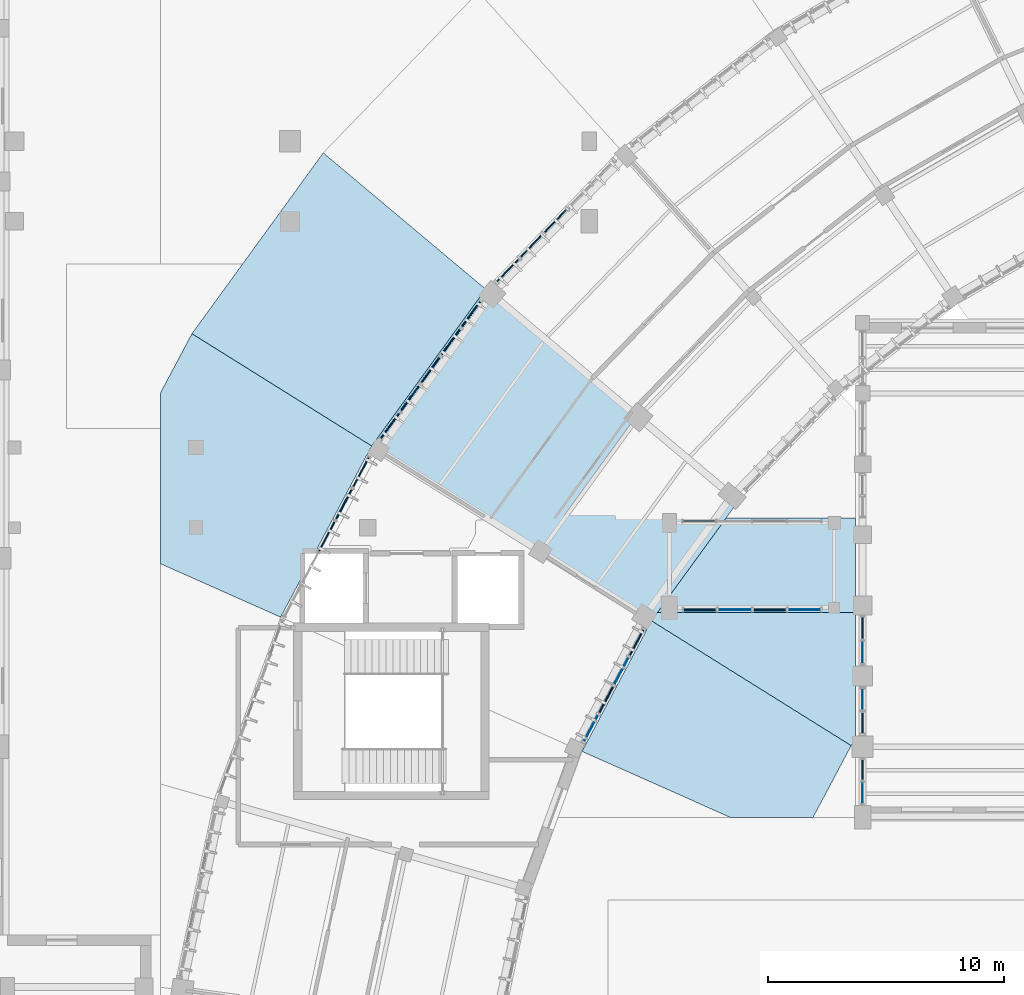
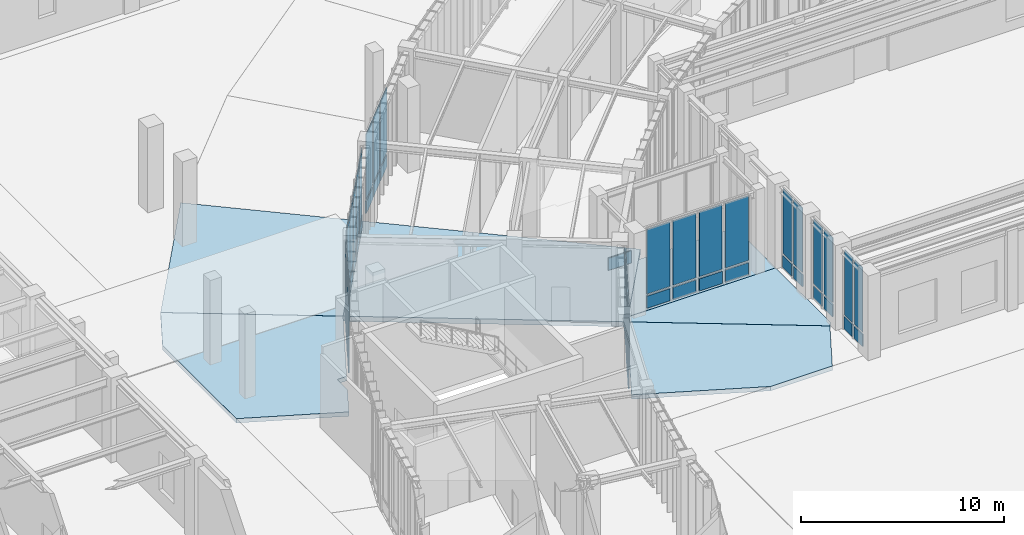
# One storey, part 22 of 68: 51 plates, 6 slabs, 9 elements without a shape of their own.
"""IFC4 building model written with IfcOpenShell, lengths in metres."""

from ifc_helpers import new_model, si_unit, direction, frame, origin, origin_2d, place, context, subcontext, project, spatial, polyline, rectangle, outline, extrude, material, layer, layer_set, type_object, element, aggregate, save


model = new_model("IFC4")

# Units and contexts
model_context = context("Model", 3, precision=1e-05, world=origin(), true_north=direction((0.0, 1.0)))
body_context = subcontext(model_context, "Body", "Model", "MODEL_VIEW")
ifc_project = project(units=[si_unit("LENGTHUNIT", "METRE"), si_unit("AREAUNIT", "SQUARE_METRE"), si_unit("VOLUMEUNIT", "CUBIC_METRE"), si_unit("PLANEANGLEUNIT", "RADIAN"), si_unit("MASSUNIT", "GRAM", prefix="KILO"), si_unit("THERMODYNAMICTEMPERATUREUNIT", "KELVIN"), si_unit("POWERUNIT", "WATT")], contexts=[model_context])

# Site, building, storey
site_placement = place(None, origin())
site = spatial("IfcSite", under=ifc_project, at=site_placement, CompositionType="ELEMENT")
building_placement = place(site_placement, origin())
building = spatial("IfcBuilding", under=site, at=building_placement, Name="Solvatero Civic Police Headquarters", CompositionType="ELEMENT")
storey_placement = place(building_placement, origin())
storey = spatial("IfcBuildingStorey", under=building, at=storey_placement, Name="L00", CompositionType="ELEMENT", Elevation=0.0)

# Curtain wall, plate
ifc_material_1 = material(Name="Anodized Bronze Aluminium", Category="aluminium")
ifc_layer_1 = layer(ifc_material_1, 0.179931640625)
ifc_layer_set_1 = layer_set([ifc_layer_1], Name="Anodized Bronze Aluminium")
curtain_wall_type_1 = type_object("IfcCurtainWallType", Name="CW-ARC-OUT", PredefinedType="USERDEFINED", material=ifc_layer_set_1)
curtain_wall_1_placement = place(storey_placement, origin())
curtain_wall_1 = element("IfcCurtainWall", 1, at=curtain_wall_1_placement, inside=storey, type_object=curtain_wall_type_1, Name="Curtain Wall CW-R2-L00-ARC-OUT-B07", ObjectType="UNITISED", PredefinedType="USERDEFINED")
ifc_material_2 = material(Name="Triple Low-E Laminated Glass", Category="glass")
ifc_layer_2 = layer(ifc_material_2, 0.0380859375)
ifc_layer_set_2 = layer_set([ifc_layer_2], Name="Triple Low-E Laminated Glass")
plate_type_1 = type_object("IfcPlateType", Name="CWP-GLZ-38", PredefinedType="CURTAIN_PANEL", material=ifc_layer_set_2)
plate_1_placement = place(storey_placement, frame((50.74609375, 65.763916015625, 0.91015625), z_axis=(0.0, 0.0, 1.0), x_axis=(-0.694658370459, -0.719339800339, 0.0)))
plate_1 = element("IfcPlate", 2, at=plate_1_placement, type_object=plate_type_1, Name="CW-R2-L00-ARC-OUT-B07 Vision Glazing 4", PredefinedType="CURTAIN_PANEL", context=body_context, shape_type="SweptSolid", body=[
    extrude(rectangle(XDim=1.275390625, YDim=0.0380859375, at=origin_2d()), origin(), (0.0, 0.0, 1.0), 3.909912109375),
])

# Curtain wall, plates
curtain_wall_2_placement = place(storey_placement, origin())
curtain_wall_2 = element("IfcCurtainWall", 3, at=curtain_wall_2_placement, inside=storey, type_object=curtain_wall_type_1, Name="Curtain Wall CW-R2-L00-ARC-OUT-B08", ObjectType="UNITISED", PredefinedType="USERDEFINED")
plate_2_placement = place(storey_placement, frame((47.320556640625, 61.6796875, 0.91015625), z_axis=(0.0, 0.0, 1.0), x_axis=(-0.587785252292, -0.809016994375, 0.0)))
plate_2 = element("IfcPlate", 4, at=plate_2_placement, type_object=plate_type_1, Name="CW-R2-L00-ARC-OUT-B08 Vision Glazing 2", PredefinedType="CURTAIN_PANEL", context=body_context, shape_type="SweptSolid", body=[
    extrude(rectangle(XDim=1.285400390625, YDim=0.0380859375, at=origin_2d()), origin(), (0.0, 0.0, 1.0), 3.909912109375),
])
plate_3_placement = place(storey_placement, frame((45.59765625, 59.30859375, 0.91015625), z_axis=(0.0, 0.0, 1.0), x_axis=(-0.587785252292, -0.809016994375, 0.0)))
plate_3 = element("IfcPlate", 5, at=plate_3_placement, type_object=plate_type_1, Name="CW-R2-L00-ARC-OUT-B08 Vision Glazing 4", PredefinedType="CURTAIN_PANEL", context=body_context, shape_type="SweptSolid", body=[
    extrude(rectangle(XDim=1.285400390625, YDim=0.0380859375, at=origin_2d()), origin(), (0.0, 0.0, 1.0), 3.909912109375),
])

curtain_wall_3_placement = place(storey_placement, origin())
curtain_wall_3 = element("IfcCurtainWall", 6, at=curtain_wall_3_placement, inside=storey, type_object=curtain_wall_type_1, Name="Curtain Wall CW-R2-L00-ARC-OUT-B09", ObjectType="UNITISED", PredefinedType="USERDEFINED")
plate_4_placement = place(storey_placement, frame((43.512451171875, 56.1591796875, 0.91015625), z_axis=(0.0, 0.0, 1.0), x_axis=(-0.469471562786, -0.882947592859, 0.0)))
plate_4 = element("IfcPlate", 7, at=plate_4_placement, type_object=plate_type_1, Name="CW-R2-L00-ARC-OUT-B09 Vision Glazing 1", PredefinedType="CURTAIN_PANEL", context=body_context, shape_type="SweptSolid", body=[
    extrude(rectangle(XDim=1.36962890625, YDim=0.0380859375, at=origin_2d()), origin(), (0.0, 0.0, 1.0), 3.909912109375),
])
plate_5_placement = place(storey_placement, frame((42.057373046875, 53.422607421875, 0.91015625), z_axis=(0.0, 0.0, 1.0), x_axis=(-0.469471562786, -0.882947592859, 0.0)))
plate_5 = element("IfcPlate", 8, at=plate_5_placement, type_object=plate_type_1, Name="CW-R2-L00-ARC-OUT-B09 Vision Glazing 3", PredefinedType="CURTAIN_PANEL", context=body_context, shape_type="SweptSolid", body=[
    extrude(rectangle(XDim=1.36962890625, YDim=0.0380859375, at=origin_2d()), origin(), (0.0, 0.0, 1.0), 3.909912109375),
])

ifc_layer_3 = layer(ifc_material_1, 0.179931640625)
ifc_layer_set_3 = layer_set([ifc_layer_3], Name="Anodized Bronze Aluminium")
curtain_wall_type_2 = type_object("IfcCurtainWallType", Name="CW-ARC-IN", PredefinedType="USERDEFINED", material=ifc_layer_set_3)
curtain_wall_4_placement = place(storey_placement, origin())
curtain_wall_4 = element("IfcCurtainWall", 9, at=curtain_wall_4_placement, inside=storey, type_object=curtain_wall_type_2, Name="Curtain Wall CW-R2-L00-ARC-IN-B09", ObjectType="UNITISED", PredefinedType="USERDEFINED")
plate_6_placement = place(storey_placement, frame((54.56494140625, 47.707275390625, 0.91015625), z_axis=(0.0, 0.0, 1.0), x_axis=(-0.469486973057, -0.8829393989, 0.0)))
plate_6 = element("IfcPlate", 10, at=plate_6_placement, type_object=plate_type_1, Name="CW-R2-L00-ARC-IN-B09 Vision Glazing 2", PredefinedType="CURTAIN_PANEL", context=body_context, shape_type="SweptSolid", body=[
    extrude(rectangle(XDim=1.200439453125, YDim=0.0380859375, at=origin_2d()), origin(), (0.0, 0.0, 1.0), 3.909912109375),
])
plate_7_placement = place(storey_placement, frame((53.268798828125, 45.26953125, 0.91015625), z_axis=(0.0, 0.0, 1.0), x_axis=(-0.469486973057, -0.8829393989, 0.0)))
plate_7 = element("IfcPlate", 11, at=plate_7_placement, type_object=plate_type_1, Name="CW-R2-L00-ARC-IN-B09 Vision Glazing 4", PredefinedType="CURTAIN_PANEL", context=body_context, shape_type="SweptSolid", body=[
    extrude(rectangle(XDim=1.200439453125, YDim=0.0380859375, at=origin_2d()), origin(), (0.0, 0.0, 1.0), 3.909912109375),
])

# Curtain wall, plate
ifc_layer_4 = layer(ifc_material_1, 0.179931640625)
ifc_layer_set_4 = layer_set([ifc_layer_4], Name="Anodized Bronze Aluminium")
curtain_wall_type_3 = type_object("IfcCurtainWallType", Name="CW-HAL-GLZ", PredefinedType="USERDEFINED", material=ifc_layer_set_4)
curtain_wall_5_placement = place(storey_placement, origin())
curtain_wall_5 = element("IfcCurtainWall", 12, at=curtain_wall_5_placement, inside=storey, type_object=curtain_wall_type_3, Name="Curtain Wall CW-R2-L00-V2-W-B1", ObjectType="UNITISED", PredefinedType="USERDEFINED")
plate_8_placement = place(storey_placement, frame((64.800048828125, 42.532470703125, 0.91015625), z_axis=(0.0, 0.0, 1.0), x_axis=(0.0, 1.0, 0.0)))
plate_8 = element("IfcPlate", 13, at=plate_8_placement, type_object=plate_type_1, Name="CW-R2-L00-V2-W-B1 Vision Glazing 1", PredefinedType="CURTAIN_PANEL", context=body_context, shape_type="SweptSolid", body=[
    extrude(rectangle(XDim=0.804931640625, YDim=0.0380859375, at=origin_2d()), origin(), (0.0, 0.0, 1.0), 3.889892578125),
])

curtain_wall_6_placement = place(storey_placement, origin())
curtain_wall_6 = element("IfcCurtainWall", 14, at=curtain_wall_6_placement, inside=storey, type_object=curtain_wall_type_3, Name="Curtain Wall CW-R2-L00-V2-W-B2", ObjectType="UNITISED", PredefinedType="USERDEFINED")
plate_9_placement = place(storey_placement, frame((64.800048828125, 46.523681640625, 0.91015625), z_axis=(0.0, 0.0, 1.0), x_axis=(0.0, 1.0, 0.0)))
plate_9 = element("IfcPlate", 15, at=plate_9_placement, type_object=plate_type_1, Name="CW-R2-L00-V2-W-B2 Vision Glazing 2", PredefinedType="CURTAIN_PANEL", context=body_context, shape_type="SweptSolid", body=[
    extrude(rectangle(XDim=0.842529296875, YDim=0.0380859375, at=origin_2d()), origin(), (0.0, 0.0, 1.0), 3.889892578125),
])

curtain_wall_7_placement = place(storey_placement, origin())
curtain_wall_7 = element("IfcCurtainWall", 16, at=curtain_wall_7_placement, inside=storey, type_object=curtain_wall_type_3, Name="Curtain Wall CW-R2-L00-V2-W-B3", ObjectType="UNITISED", PredefinedType="USERDEFINED")
plate_10_placement = place(storey_placement, frame((64.800048828125, 48.48876953125, 0.91015625), z_axis=(0.0, 0.0, 1.0), x_axis=(0.0, 1.0, 0.0)))
plate_10 = element("IfcPlate", 17, at=plate_10_placement, type_object=plate_type_1, Name="CW-R2-L00-V2-W-B3 Vision Glazing 1", PredefinedType="CURTAIN_PANEL", context=body_context, shape_type="SweptSolid", body=[
    extrude(rectangle(XDim=0.867431640625, YDim=0.0380859375, at=origin_2d()), origin(), (0.0, 0.0, 1.0), 3.889892578125),
])

# Curtain wall, plates
ifc_layer_5 = layer(ifc_material_1, 0.179931640625)
ifc_layer_set_5 = layer_set([ifc_layer_5], Name="Anodized Bronze Aluminium")
curtain_wall_type_4 = type_object("IfcCurtainWallType", Name="CW-SB-GLZ", PredefinedType="USERDEFINED", material=ifc_layer_set_5)
curtain_wall_8_placement = place(storey_placement, origin())
curtain_wall_8 = element("IfcCurtainWall", 18, at=curtain_wall_8_placement, inside=storey, type_object=curtain_wall_type_4, Name="Curtain Wall CW-R2-L00-V2LK-S", ObjectType="UNITISED", PredefinedType="USERDEFINED")
plate_11_placement = place(storey_placement, frame((59.371337890625, 50.320068359375, 0.91015625), z_axis=(0.0, 0.0, 1.0), x_axis=(1.0, 0.0, 0.0)))
plate_11 = element("IfcPlate", 19, at=plate_11_placement, type_object=plate_type_1, Name="CW-R2-L00-V2LK-S Vision Glazing 2", PredefinedType="CURTAIN_PANEL", context=body_context, shape_type="SweptSolid", body=[
    extrude(rectangle(XDim=1.3076171875, YDim=0.0380859375, at=origin_2d()), origin(), (0.0, 0.0, 1.0), 3.889892578125),
])
plate_12_placement = place(storey_placement, frame((62.34619140625, 50.320068359375, 0.91015625), z_axis=(0.0, 0.0, 1.0), x_axis=(1.0, 0.0, 0.0)))
plate_12 = element("IfcPlate", 20, at=plate_12_placement, type_object=plate_type_1, Name="CW-R2-L00-V2LK-S Vision Glazing 4", PredefinedType="CURTAIN_PANEL", context=body_context, shape_type="SweptSolid", body=[
    extrude(rectangle(XDim=1.3076171875, YDim=0.0380859375, at=origin_2d()), origin(), (0.0, 0.0, 1.0), 3.889892578125),
])

# Plate
ifc_material_3 = material(Name="Acoustic Ballistic Laminated Glass", Category="glass")
ifc_layer_6 = layer(ifc_material_3, 0.0439453125)
ifc_layer_set_6 = layer_set([ifc_layer_6], Name="Acoustic Ballistic Laminated Glass")
plate_type_2 = type_object("IfcPlateType", Name="CWP-GLZ-44", PredefinedType="CURTAIN_PANEL", material=ifc_layer_set_6)
plate_13_placement = place(storey_placement, frame((51.757080078125, 66.810791015625, 0.91015625), z_axis=(0.0, 0.0, 1.0), x_axis=(-0.694658370459, -0.719339800339, 0.0)))
plate_13 = element("IfcPlate", 21, at=plate_13_placement, type_object=plate_type_2, Name="CW-R2-L00-ARC-OUT-B07 Vision Glazing 3", PredefinedType="CURTAIN_PANEL", context=body_context, shape_type="SweptSolid", body=[
    extrude(rectangle(XDim=1.275390625, YDim=0.0439453125, at=origin_2d()), origin(), (0.0, 0.0, 1.0), 3.909912109375),
])

plate_14_placement = place(storey_placement, frame((49.735107421875, 64.716796875, 0.91015625), z_axis=(0.0, 0.0, 1.0), x_axis=(-0.694658370459, -0.719339800339, 0.0)))
plate_14 = element("IfcPlate", 22, at=plate_14_placement, type_object=plate_type_2, Name="CW-R2-L00-ARC-OUT-B07 Vision Glazing 5", PredefinedType="CURTAIN_PANEL", context=body_context, shape_type="SweptSolid", body=[
    extrude(rectangle(XDim=1.275390625, YDim=0.0439453125, at=origin_2d()), origin(), (0.0, 0.0, 1.0), 3.909912109375),
])

plate_15_placement = place(storey_placement, frame((48.181884765625, 62.865478515625, 0.91015625), z_axis=(0.0, 0.0, 1.0), x_axis=(-0.587785252292, -0.809016994375, 0.0)))
plate_15 = element("IfcPlate", 23, at=plate_15_placement, type_object=plate_type_2, Name="CW-R2-L00-ARC-OUT-B08 Vision Glazing 1", PredefinedType="CURTAIN_PANEL", context=body_context, shape_type="SweptSolid", body=[
    extrude(rectangle(XDim=1.285400390625, YDim=0.0439453125, at=origin_2d()), origin(), (0.0, 0.0, 1.0), 3.909912109375),
])

plate_16_placement = place(storey_placement, frame((46.458984375, 60.494140625, 0.91015625), z_axis=(0.0, 0.0, 1.0), x_axis=(-0.587785252292, -0.809016994375, 0.0)))
plate_16 = element("IfcPlate", 24, at=plate_16_placement, type_object=plate_type_2, Name="CW-R2-L00-ARC-OUT-B08 Vision Glazing 3", PredefinedType="CURTAIN_PANEL", context=body_context, shape_type="SweptSolid", body=[
    extrude(rectangle(XDim=1.285400390625, YDim=0.0439453125, at=origin_2d()), origin(), (0.0, 0.0, 1.0), 3.909912109375),
])

plate_17_placement = place(storey_placement, frame((44.736328125, 58.122802734375, 0.91015625), z_axis=(0.0, 0.0, 1.0), x_axis=(-0.587785252292, -0.809016994375, 0.0)))
plate_17 = element("IfcPlate", 25, at=plate_17_placement, type_object=plate_type_2, Name="CW-R2-L00-ARC-OUT-B08 Vision Glazing 5", PredefinedType="CURTAIN_PANEL", context=body_context, shape_type="SweptSolid", body=[
    extrude(rectangle(XDim=1.285400390625, YDim=0.0439453125, at=origin_2d()), origin(), (0.0, 0.0, 1.0), 3.909912109375),
])

plate_18_placement = place(storey_placement, frame((42.784912109375, 54.790771484375, 0.91015625), z_axis=(0.0, 0.0, 1.0), x_axis=(-0.469471562786, -0.882947592859, 0.0)))
plate_18 = element("IfcPlate", 26, at=plate_18_placement, type_object=plate_type_2, Name="CW-R2-L00-ARC-OUT-B09 Vision Glazing 2", PredefinedType="CURTAIN_PANEL", context=body_context, shape_type="SweptSolid", body=[
    extrude(rectangle(XDim=1.36962890625, YDim=0.0439453125, at=origin_2d()), origin(), (0.0, 0.0, 1.0), 3.909912109375),
])

plate_19_placement = place(storey_placement, frame((55.212890625, 48.926025390625, 0.91015625), z_axis=(0.0, 0.0, 1.0), x_axis=(-0.469486973057, -0.8829393989, 0.0)))
plate_19 = element("IfcPlate", 27, at=plate_19_placement, type_object=plate_type_2, Name="CW-R2-L00-ARC-IN-B09 Vision Glazing 1", PredefinedType="CURTAIN_PANEL", context=body_context, shape_type="SweptSolid", body=[
    extrude(rectangle(XDim=1.200439453125, YDim=0.0439453125, at=origin_2d()), origin(), (0.0, 0.0, 1.0), 3.909912109375),
])

plate_20_placement = place(storey_placement, frame((53.916748046875, 46.48828125, 0.91015625), z_axis=(0.0, 0.0, 1.0), x_axis=(-0.469486973057, -0.8829393989, 0.0)))
plate_20 = element("IfcPlate", 28, at=plate_20_placement, type_object=plate_type_2, Name="CW-R2-L00-ARC-IN-B09 Vision Glazing 3", PredefinedType="CURTAIN_PANEL", context=body_context, shape_type="SweptSolid", body=[
    extrude(rectangle(XDim=1.200439453125, YDim=0.0439453125, at=origin_2d()), origin(), (0.0, 0.0, 1.0), 3.909912109375),
])

plate_21_placement = place(storey_placement, frame((64.800048828125, 43.517578125, 0.91015625), z_axis=(0.0, 0.0, 1.0), x_axis=(0.0, 1.0, 0.0)))
plate_21 = element("IfcPlate", 29, at=plate_21_placement, type_object=plate_type_2, Name="CW-R2-L00-V2-W-B1 Vision Glazing 2", PredefinedType="CURTAIN_PANEL", context=body_context, shape_type="SweptSolid", body=[
    extrude(rectangle(XDim=0.804931640625, YDim=0.0439453125, at=origin_2d()), origin(), (0.0, 0.0, 1.0), 3.889892578125),
])

plate_22_placement = place(storey_placement, frame((64.800048828125, 45.501220703125, 0.91015625), z_axis=(0.0, 0.0, 1.0), x_axis=(0.0, 1.0, 0.0)))
plate_22 = element("IfcPlate", 30, at=plate_22_placement, type_object=plate_type_2, Name="CW-R2-L00-V2-W-B2 Vision Glazing 1", PredefinedType="CURTAIN_PANEL", context=body_context, shape_type="SweptSolid", body=[
    extrude(rectangle(XDim=0.842529296875, YDim=0.0439453125, at=origin_2d()), origin(), (0.0, 0.0, 1.0), 3.889892578125),
])

plate_23_placement = place(storey_placement, frame((64.800048828125, 49.536376953125, 0.91015625), z_axis=(0.0, 0.0, 1.0), x_axis=(0.0, 1.0, 0.0)))
plate_23 = element("IfcPlate", 31, at=plate_23_placement, type_object=plate_type_2, Name="CW-R2-L00-V2-W-B3 Vision Glazing 2", PredefinedType="CURTAIN_PANEL", context=body_context, shape_type="SweptSolid", body=[
    extrude(rectangle(XDim=0.867431640625, YDim=0.0439453125, at=origin_2d()), origin(), (0.0, 0.0, 1.0), 3.889892578125),
])

plate_24_placement = place(storey_placement, frame((57.8837890625, 50.320068359375, 0.91015625), z_axis=(0.0, 0.0, 1.0), x_axis=(1.0, 0.0, 0.0)))
plate_24 = element("IfcPlate", 32, at=plate_24_placement, type_object=plate_type_2, Name="CW-R2-L00-V2LK-S Vision Glazing 1", PredefinedType="CURTAIN_PANEL", context=body_context, shape_type="SweptSolid", body=[
    extrude(rectangle(XDim=1.3076171875, YDim=0.0439453125, at=origin_2d()), origin(), (0.0, 0.0, 1.0), 3.889892578125),
])

plate_25_placement = place(storey_placement, frame((60.85888671875, 50.320068359375, 0.91015625), z_axis=(0.0, 0.0, 1.0), x_axis=(1.0, 0.0, 0.0)))
plate_25 = element("IfcPlate", 33, at=plate_25_placement, type_object=plate_type_2, Name="CW-R2-L00-V2LK-S Vision Glazing 3", PredefinedType="CURTAIN_PANEL", context=body_context, shape_type="SweptSolid", body=[
    extrude(rectangle(XDim=1.3076171875, YDim=0.0439453125, at=origin_2d()), origin(), (0.0, 0.0, 1.0), 3.889892578125),
])

ifc_material_4 = material(Name="Insulated Bronze Aluminium Spandrel", Category="aluminium")
ifc_layer_7 = layer(ifc_material_4, 0.06005859375)
ifc_layer_set_7 = layer_set([ifc_layer_7], Name="Insulated Bronze Aluminium Spandrel")
plate_type_3 = type_object("IfcPlateType", Name="CWP-SPN-60", PredefinedType="CURTAIN_PANEL", material=ifc_layer_set_7)
plate_26_placement = place(storey_placement, frame((50.74609375, 65.763916015625, 0.06005859375), z_axis=(0.0, 0.0, 1.0), x_axis=(-0.694658370459, -0.719339800339, 0.0)))
plate_26 = element("IfcPlate", 34, at=plate_26_placement, type_object=plate_type_3, Name="CW-R2-L00-ARC-OUT-B07 Spandrel Panel 4", PredefinedType="CURTAIN_PANEL", context=body_context, shape_type="SweptSolid", body=[
    extrude(rectangle(XDim=1.275390625, YDim=0.06005859375, at=origin_2d()), origin(), (0.0, 0.0, 1.0), 0.72998046875),
])

plate_27_placement = place(storey_placement, frame((47.320556640625, 61.6796875, 0.06005859375), z_axis=(0.0, 0.0, 1.0), x_axis=(-0.587785252292, -0.809016994375, 0.0)))
plate_27 = element("IfcPlate", 35, at=plate_27_placement, type_object=plate_type_3, Name="CW-R2-L00-ARC-OUT-B08 Spandrel Panel 2", PredefinedType="CURTAIN_PANEL", context=body_context, shape_type="SweptSolid", body=[
    extrude(rectangle(XDim=1.285400390625, YDim=0.06005859375, at=origin_2d()), origin(), (0.0, 0.0, 1.0), 0.72998046875),
])

plate_28_placement = place(storey_placement, frame((45.59765625, 59.30859375, 0.06005859375), z_axis=(0.0, 0.0, 1.0), x_axis=(-0.587785252292, -0.809016994375, 0.0)))
plate_28 = element("IfcPlate", 36, at=plate_28_placement, type_object=plate_type_3, Name="CW-R2-L00-ARC-OUT-B08 Spandrel Panel 4", PredefinedType="CURTAIN_PANEL", context=body_context, shape_type="SweptSolid", body=[
    extrude(rectangle(XDim=1.285400390625, YDim=0.06005859375, at=origin_2d()), origin(), (0.0, 0.0, 1.0), 0.72998046875),
])

plate_29_placement = place(storey_placement, frame((43.512451171875, 56.1591796875, 0.06005859375), z_axis=(0.0, 0.0, 1.0), x_axis=(-0.469471562786, -0.882947592859, 0.0)))
plate_29 = element("IfcPlate", 37, at=plate_29_placement, type_object=plate_type_3, Name="CW-R2-L00-ARC-OUT-B09 Spandrel Panel 1", PredefinedType="CURTAIN_PANEL", context=body_context, shape_type="SweptSolid", body=[
    extrude(rectangle(XDim=1.36962890625, YDim=0.06005859375, at=origin_2d()), origin(), (0.0, 0.0, 1.0), 0.72998046875),
])

plate_30_placement = place(storey_placement, frame((42.057373046875, 53.422607421875, 0.06005859375), z_axis=(0.0, 0.0, 1.0), x_axis=(-0.469471562786, -0.882947592859, 0.0)))
plate_30 = element("IfcPlate", 38, at=plate_30_placement, type_object=plate_type_3, Name="CW-R2-L00-ARC-OUT-B09 Spandrel Panel 3", PredefinedType="CURTAIN_PANEL", context=body_context, shape_type="SweptSolid", body=[
    extrude(rectangle(XDim=1.36962890625, YDim=0.06005859375, at=origin_2d()), origin(), (0.0, 0.0, 1.0), 0.72998046875),
])

plate_31_placement = place(storey_placement, frame((54.56494140625, 47.707275390625, 0.06005859375), z_axis=(0.0, 0.0, 1.0), x_axis=(-0.469486973057, -0.8829393989, 0.0)))
plate_31 = element("IfcPlate", 39, at=plate_31_placement, type_object=plate_type_3, Name="CW-R2-L00-ARC-IN-B09 Spandrel Panel 2", PredefinedType="CURTAIN_PANEL", context=body_context, shape_type="SweptSolid", body=[
    extrude(rectangle(XDim=1.200439453125, YDim=0.06005859375, at=origin_2d()), origin(), (0.0, 0.0, 1.0), 0.72998046875),
])

plate_32_placement = place(storey_placement, frame((53.268798828125, 45.26953125, 0.06005859375), z_axis=(0.0, 0.0, 1.0), x_axis=(-0.469486973057, -0.8829393989, 0.0)))
plate_32 = element("IfcPlate", 40, at=plate_32_placement, type_object=plate_type_3, Name="CW-R2-L00-ARC-IN-B09 Spandrel Panel 4", PredefinedType="CURTAIN_PANEL", context=body_context, shape_type="SweptSolid", body=[
    extrude(rectangle(XDim=1.200439453125, YDim=0.06005859375, at=origin_2d()), origin(), (0.0, 0.0, 1.0), 0.72998046875),
])

plate_33_placement = place(storey_placement, frame((64.800048828125, 42.532470703125, 0.06005859375), z_axis=(0.0, 0.0, 1.0), x_axis=(0.0, 1.0, 0.0)))
plate_33 = element("IfcPlate", 41, at=plate_33_placement, type_object=plate_type_3, Name="CW-R2-L00-V2-W-B1 Spandrel Panel 1", PredefinedType="CURTAIN_PANEL", context=body_context, shape_type="SweptSolid", body=[
    extrude(rectangle(XDim=0.804931640625, YDim=0.06005859375, at=origin_2d()), origin(), (0.0, 0.0, 1.0), 0.72998046875),
])

plate_34_placement = place(storey_placement, frame((64.800048828125, 46.523681640625, 0.06005859375), z_axis=(0.0, 0.0, 1.0), x_axis=(0.0, 1.0, 0.0)))
plate_34 = element("IfcPlate", 42, at=plate_34_placement, type_object=plate_type_3, Name="CW-R2-L00-V2-W-B2 Spandrel Panel 2", PredefinedType="CURTAIN_PANEL", context=body_context, shape_type="SweptSolid", body=[
    extrude(rectangle(XDim=0.842529296875, YDim=0.06005859375, at=origin_2d()), origin(), (0.0, 0.0, 1.0), 0.72998046875),
])

plate_35_placement = place(storey_placement, frame((64.800048828125, 48.48876953125, 0.06005859375), z_axis=(0.0, 0.0, 1.0), x_axis=(0.0, 1.0, 0.0)))
plate_35 = element("IfcPlate", 43, at=plate_35_placement, type_object=plate_type_3, Name="CW-R2-L00-V2-W-B3 Spandrel Panel 1", PredefinedType="CURTAIN_PANEL", context=body_context, shape_type="SweptSolid", body=[
    extrude(rectangle(XDim=0.867431640625, YDim=0.06005859375, at=origin_2d()), origin(), (0.0, 0.0, 1.0), 0.72998046875),
])

plate_36_placement = place(storey_placement, frame((59.371337890625, 50.320068359375, 0.06005859375), z_axis=(0.0, 0.0, 1.0), x_axis=(1.0, 0.0, 0.0)))
plate_36 = element("IfcPlate", 44, at=plate_36_placement, type_object=plate_type_3, Name="CW-R2-L00-V2LK-S Spandrel Panel 2", PredefinedType="CURTAIN_PANEL", context=body_context, shape_type="SweptSolid", body=[
    extrude(rectangle(XDim=1.3076171875, YDim=0.06005859375, at=origin_2d()), origin(), (0.0, 0.0, 1.0), 0.72998046875),
])

plate_37_placement = place(storey_placement, frame((62.34619140625, 50.320068359375, 0.06005859375), z_axis=(0.0, 0.0, 1.0), x_axis=(1.0, 0.0, 0.0)))
plate_37 = element("IfcPlate", 45, at=plate_37_placement, type_object=plate_type_3, Name="CW-R2-L00-V2LK-S Spandrel Panel 4", PredefinedType="CURTAIN_PANEL", context=body_context, shape_type="SweptSolid", body=[
    extrude(rectangle(XDim=1.3076171875, YDim=0.06005859375, at=origin_2d()), origin(), (0.0, 0.0, 1.0), 0.72998046875),
])

# Curtain wall, plate
curtain_wall_9_placement = place(storey_placement, origin())
curtain_wall_9 = element("IfcCurtainWall", 46, at=curtain_wall_9_placement, inside=storey, type_object=curtain_wall_type_4, Name="Curtain Wall CW-R2-L00-V2LK-N", ObjectType="UNITISED", PredefinedType="USERDEFINED")
plate_38_placement = place(storey_placement, frame((57.857421875, 54.080078125, 0.06005859375), z_axis=(0.0, 0.0, 1.0), x_axis=(1.0, 0.0, 0.0)))
plate_38 = element("IfcPlate", 47, at=plate_38_placement, type_object=plate_type_3, Name="CW-R2-L00-V2LK-N Spandrel Panel 1", PredefinedType="CURTAIN_PANEL", context=body_context, shape_type="SweptSolid", body=[
    extrude(rectangle(XDim=1.31494140625, YDim=0.06005859375, at=origin_2d()), origin(), (0.0, 0.0, 1.0), 0.72998046875),
])
aggregate(curtain_wall_9, [plate_38])

# Plate
ifc_material_5 = material(Name="Limestone Veneer Spandrel Panel", Category="masonry")
ifc_layer_8 = layer(ifc_material_5, 0.074951171875)
ifc_layer_set_8 = layer_set([ifc_layer_8], Name="Limestone Veneer Spandrel Panel")
plate_type_4 = type_object("IfcPlateType", Name="CWP-SPN-75", PredefinedType="CURTAIN_PANEL", material=ifc_layer_set_8)
plate_39_placement = place(storey_placement, frame((51.757080078125, 66.810791015625, 0.06005859375), z_axis=(0.0, 0.0, 1.0), x_axis=(-0.694658370459, -0.719339800339, 0.0)))
plate_39 = element("IfcPlate", 48, at=plate_39_placement, type_object=plate_type_4, Name="CW-R2-L00-ARC-OUT-B07 Spandrel Panel 3", PredefinedType="CURTAIN_PANEL", context=body_context, shape_type="SweptSolid", body=[
    extrude(rectangle(XDim=1.275390625, YDim=0.074951171875, at=origin_2d()), origin(), (0.0, 0.0, 1.0), 0.72998046875),
])

plate_40_placement = place(storey_placement, frame((49.735107421875, 64.716796875, 0.06005859375), z_axis=(0.0, 0.0, 1.0), x_axis=(-0.694658370459, -0.719339800339, 0.0)))
plate_40 = element("IfcPlate", 49, at=plate_40_placement, type_object=plate_type_4, Name="CW-R2-L00-ARC-OUT-B07 Spandrel Panel 5", PredefinedType="CURTAIN_PANEL", context=body_context, shape_type="SweptSolid", body=[
    extrude(rectangle(XDim=1.275390625, YDim=0.074951171875, at=origin_2d()), origin(), (0.0, 0.0, 1.0), 0.72998046875),
])

aggregate(curtain_wall_1, [plate_39, plate_13, plate_26, plate_1, plate_40, plate_14])

plate_41_placement = place(storey_placement, frame((48.181884765625, 62.865478515625, 0.06005859375), z_axis=(0.0, 0.0, 1.0), x_axis=(-0.587785252292, -0.809016994375, 0.0)))
plate_41 = element("IfcPlate", 50, at=plate_41_placement, type_object=plate_type_4, Name="CW-R2-L00-ARC-OUT-B08 Spandrel Panel 1", PredefinedType="CURTAIN_PANEL", context=body_context, shape_type="SweptSolid", body=[
    extrude(rectangle(XDim=1.285400390625, YDim=0.074951171875, at=origin_2d()), origin(), (0.0, 0.0, 1.0), 0.72998046875),
])

plate_42_placement = place(storey_placement, frame((46.458984375, 60.494140625, 0.06005859375), z_axis=(0.0, 0.0, 1.0), x_axis=(-0.587785252292, -0.809016994375, 0.0)))
plate_42 = element("IfcPlate", 51, at=plate_42_placement, type_object=plate_type_4, Name="CW-R2-L00-ARC-OUT-B08 Spandrel Panel 3", PredefinedType="CURTAIN_PANEL", context=body_context, shape_type="SweptSolid", body=[
    extrude(rectangle(XDim=1.285400390625, YDim=0.074951171875, at=origin_2d()), origin(), (0.0, 0.0, 1.0), 0.72998046875),
])

plate_43_placement = place(storey_placement, frame((44.736328125, 58.122802734375, 0.06005859375), z_axis=(0.0, 0.0, 1.0), x_axis=(-0.587785252292, -0.809016994375, 0.0)))
plate_43 = element("IfcPlate", 52, at=plate_43_placement, type_object=plate_type_4, Name="CW-R2-L00-ARC-OUT-B08 Spandrel Panel 5", PredefinedType="CURTAIN_PANEL", context=body_context, shape_type="SweptSolid", body=[
    extrude(rectangle(XDim=1.285400390625, YDim=0.074951171875, at=origin_2d()), origin(), (0.0, 0.0, 1.0), 0.72998046875),
])

aggregate(curtain_wall_2, [plate_41, plate_15, plate_27, plate_2, plate_42, plate_16, plate_28, plate_3, plate_43, plate_17])

plate_44_placement = place(storey_placement, frame((42.784912109375, 54.790771484375, 0.06005859375), z_axis=(0.0, 0.0, 1.0), x_axis=(-0.469471562786, -0.882947592859, 0.0)))
plate_44 = element("IfcPlate", 53, at=plate_44_placement, type_object=plate_type_4, Name="CW-R2-L00-ARC-OUT-B09 Spandrel Panel 2", PredefinedType="CURTAIN_PANEL", context=body_context, shape_type="SweptSolid", body=[
    extrude(rectangle(XDim=1.36962890625, YDim=0.074951171875, at=origin_2d()), origin(), (0.0, 0.0, 1.0), 0.72998046875),
])

aggregate(curtain_wall_3, [plate_29, plate_4, plate_44, plate_18, plate_30, plate_5])

plate_45_placement = place(storey_placement, frame((55.212890625, 48.926025390625, 0.06005859375), z_axis=(0.0, 0.0, 1.0), x_axis=(-0.469486973057, -0.8829393989, 0.0)))
plate_45 = element("IfcPlate", 54, at=plate_45_placement, type_object=plate_type_4, Name="CW-R2-L00-ARC-IN-B09 Spandrel Panel 1", PredefinedType="CURTAIN_PANEL", context=body_context, shape_type="SweptSolid", body=[
    extrude(rectangle(XDim=1.200439453125, YDim=0.074951171875, at=origin_2d()), origin(), (0.0, 0.0, 1.0), 0.72998046875),
])

plate_46_placement = place(storey_placement, frame((53.916748046875, 46.48828125, 0.06005859375), z_axis=(0.0, 0.0, 1.0), x_axis=(-0.469486973057, -0.8829393989, 0.0)))
plate_46 = element("IfcPlate", 55, at=plate_46_placement, type_object=plate_type_4, Name="CW-R2-L00-ARC-IN-B09 Spandrel Panel 3", PredefinedType="CURTAIN_PANEL", context=body_context, shape_type="SweptSolid", body=[
    extrude(rectangle(XDim=1.200439453125, YDim=0.074951171875, at=origin_2d()), origin(), (0.0, 0.0, 1.0), 0.72998046875),
])

aggregate(curtain_wall_4, [plate_45, plate_19, plate_31, plate_6, plate_46, plate_20, plate_32, plate_7])

plate_47_placement = place(storey_placement, frame((64.800048828125, 43.517578125, 0.06005859375), z_axis=(0.0, 0.0, 1.0), x_axis=(0.0, 1.0, 0.0)))
plate_47 = element("IfcPlate", 56, at=plate_47_placement, type_object=plate_type_4, Name="CW-R2-L00-V2-W-B1 Spandrel Panel 2", PredefinedType="CURTAIN_PANEL", context=body_context, shape_type="SweptSolid", body=[
    extrude(rectangle(XDim=0.804931640625, YDim=0.074951171875, at=origin_2d()), origin(), (0.0, 0.0, 1.0), 0.72998046875),
])

aggregate(curtain_wall_5, [plate_33, plate_8, plate_47, plate_21])

plate_48_placement = place(storey_placement, frame((64.800048828125, 45.501220703125, 0.06005859375), z_axis=(0.0, 0.0, 1.0), x_axis=(0.0, 1.0, 0.0)))
plate_48 = element("IfcPlate", 57, at=plate_48_placement, type_object=plate_type_4, Name="CW-R2-L00-V2-W-B2 Spandrel Panel 1", PredefinedType="CURTAIN_PANEL", context=body_context, shape_type="SweptSolid", body=[
    extrude(rectangle(XDim=0.842529296875, YDim=0.074951171875, at=origin_2d()), origin(), (0.0, 0.0, 1.0), 0.72998046875),
])

aggregate(curtain_wall_6, [plate_48, plate_22, plate_34, plate_9])

plate_49_placement = place(storey_placement, frame((64.800048828125, 49.536376953125, 0.06005859375), z_axis=(0.0, 0.0, 1.0), x_axis=(0.0, 1.0, 0.0)))
plate_49 = element("IfcPlate", 58, at=plate_49_placement, type_object=plate_type_4, Name="CW-R2-L00-V2-W-B3 Spandrel Panel 2", PredefinedType="CURTAIN_PANEL", context=body_context, shape_type="SweptSolid", body=[
    extrude(rectangle(XDim=0.867431640625, YDim=0.074951171875, at=origin_2d()), origin(), (0.0, 0.0, 1.0), 0.72998046875),
])

aggregate(curtain_wall_7, [plate_35, plate_10, plate_49, plate_23])

plate_50_placement = place(storey_placement, frame((57.8837890625, 50.320068359375, 0.06005859375), z_axis=(0.0, 0.0, 1.0), x_axis=(1.0, 0.0, 0.0)))
plate_50 = element("IfcPlate", 59, at=plate_50_placement, type_object=plate_type_4, Name="CW-R2-L00-V2LK-S Spandrel Panel 1", PredefinedType="CURTAIN_PANEL", context=body_context, shape_type="SweptSolid", body=[
    extrude(rectangle(XDim=1.3076171875, YDim=0.074951171875, at=origin_2d()), origin(), (0.0, 0.0, 1.0), 0.72998046875),
])

plate_51_placement = place(storey_placement, frame((60.85888671875, 50.320068359375, 0.06005859375), z_axis=(0.0, 0.0, 1.0), x_axis=(1.0, 0.0, 0.0)))
plate_51 = element("IfcPlate", 60, at=plate_51_placement, type_object=plate_type_4, Name="CW-R2-L00-V2LK-S Spandrel Panel 3", PredefinedType="CURTAIN_PANEL", context=body_context, shape_type="SweptSolid", body=[
    extrude(rectangle(XDim=1.3076171875, YDim=0.074951171875, at=origin_2d()), origin(), (0.0, 0.0, 1.0), 0.72998046875),
])

aggregate(curtain_wall_8, [plate_50, plate_24, plate_36, plate_11, plate_51, plate_25, plate_37, plate_12])

# Slabs
ifc_material_6 = material(Name="Concrete C40/50", Category="concrete")
ifc_layer_9 = layer(ifc_material_6, 0.300048828125)
ifc_layer_set_9 = layer_set([ifc_layer_9], Name="Concrete C40/50")
slab_type_1 = type_object("IfcSlabType", Name="SLB-RC-300", PredefinedType="FLOOR", material=ifc_layer_set_9)
slab_1_placement = place(storey_placement, frame((0.0, 0.0, -0.300048828125)))
element("IfcSlab", 61, at=slab_1_placement, inside=storey, type_object=slab_type_1, Name="L00 Operations Arc Floor Slab Bay 8", PredefinedType="FLOOR", context=body_context, shape_type="SweptSolid", body=[
    extrude(outline(polyline([(48.80224609375, 63.9228515625), (59.52685546875, 54.923828125), (55.837890625, 49.846435546875), (43.965087890625, 57.26513671875), (48.80224609375, 63.9228515625)])), origin(), (0.0, 0.0, 1.0), 0.300048828125),
])
slab_2_placement = place(storey_placement, frame((0.0, 0.0, -0.300048828125)))
element("IfcSlab", 62, at=slab_2_placement, inside=storey, type_object=slab_type_1, Name="L00 Suspended floor slab SLB-L00-V2LK", PredefinedType="FLOOR", context=body_context, shape_type="SweptSolid", body=[
    extrude(outline(polyline([(56.09716796875, 50.199951171875), (59.00341796875, 54.199951171875), (64.498046875, 54.199951171875), (64.498046875, 50.199951171875), (56.09716796875, 50.199951171875)])), origin(), (0.0, 0.0, 1.0), 0.300048828125),
])
ifc_material_7 = material(Name="Concrete C35/45", Category="concrete")
ifc_layer_10 = layer(ifc_material_7, 0.260009765625)
ifc_layer_set_10 = layer_set([ifc_layer_10], Name="Concrete C35/45")
slab_type_2 = type_object("IfcSlabType", Name="SLB-TERR-260", PredefinedType="FLOOR", material=ifc_layer_set_10)
slab_3_placement = place(storey_placement, frame((0.0, 0.0, -0.260009765625)))
element("IfcSlab", 63, at=slab_3_placement, inside=storey, type_object=slab_type_2, Name="L00 Walkable roof terrace slab SLB-L00-CRIN-B08", PredefinedType="FLOOR", context=body_context, shape_type="SweptSolid", body=[
    extrude(outline(polyline([(55.839599609375, 49.84521484375), (56.095703125, 50.197998046875), (64.498046875, 50.197998046875), (64.498046875, 44.79443359375), (64.318359375, 44.547119140625), (55.839599609375, 49.84521484375)])), origin(), (0.0, 0.0, 1.0), 0.260009765625),
])
slab_4_placement = place(storey_placement, frame((0.0, 0.0, -0.260009765625)))
element("IfcSlab", 64, at=slab_4_placement, inside=storey, type_object=slab_type_2, Name="L00 Walkable roof terrace slab SLB-L00-CROUT-B08", PredefinedType="FLOOR", context=body_context, shape_type="SweptSolid", body=[
    extrude(outline(polyline([(41.90771484375, 69.7080078125), (48.80078125, 63.92431640625), (43.96337890625, 57.266357421875), (36.332763671875, 62.034423828125), (41.90771484375, 69.7080078125)])), origin(), (0.0, 0.0, 1.0), 0.260009765625),
])
slab_5_placement = place(storey_placement, frame((0.0, 0.0, -0.260009765625)))
element("IfcSlab", 65, at=slab_5_placement, inside=storey, type_object=slab_type_2, Name="L00 Walkable roof terrace slab SLB-L00-CRIN-B09", PredefinedType="FLOOR", context=body_context, shape_type="SweptSolid", body=[
    extrude(outline(polyline([(52.892333984375, 44.30224609375), (55.838623046875, 49.843505859375), (64.3173828125, 44.54541015625), (62.69921875, 41.501953125), (59.181884765625, 41.501953125), (52.892333984375, 44.30224609375)])), origin(), (0.0, 0.0, 1.0), 0.260009765625),
])
slab_6_placement = place(storey_placement, frame((0.0, 0.0, -0.260009765625)))
element("IfcSlab", 66, at=slab_6_placement, inside=storey, type_object=slab_type_2, Name="L00 Walkable roof terrace slab SLB-L00-CROUT-B09", PredefinedType="FLOOR", context=body_context, shape_type="SweptSolid", body=[
    extrude(outline(polyline([(41.0, 52.699951171875), (41.0, 51.69287109375), (40.09912109375, 49.998291015625), (35.001953125, 52.267578125), (35.001953125, 59.53173828125), (36.331787109375, 62.03271484375), (43.962646484375, 57.264404296875), (41.535400390625, 52.699951171875), (41.0, 52.699951171875)])), origin(), (0.0, 0.0, 1.0), 0.260009765625),
])

save(model, "model.ifc")
